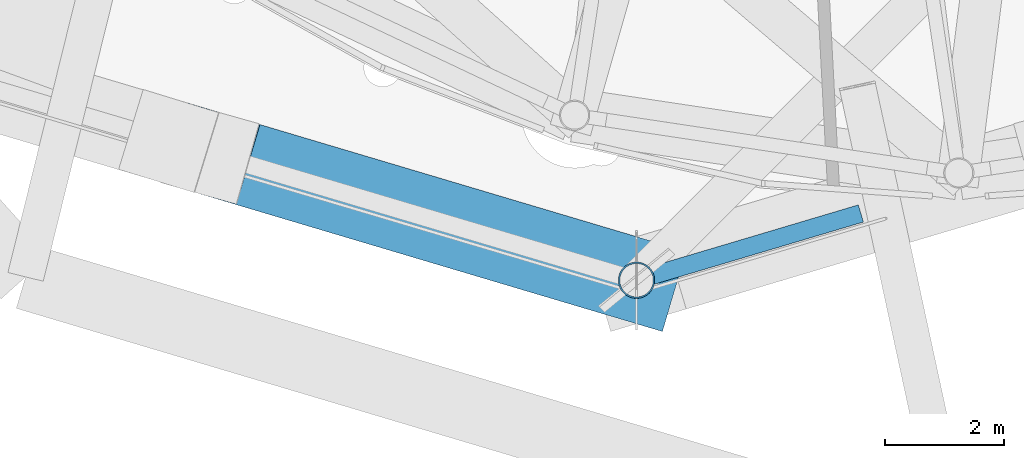
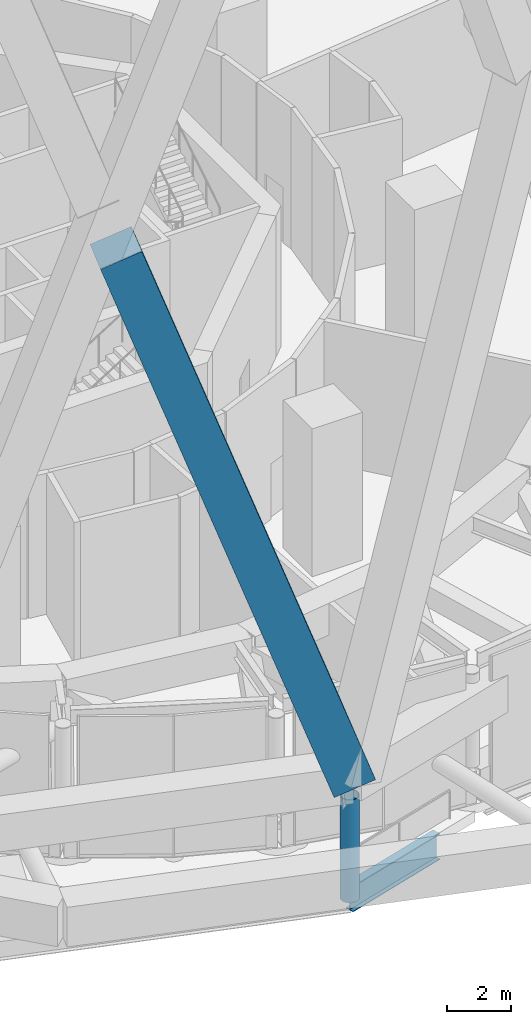
# One storey, part 6 of 60: 2 members, 1 beam.
"""IFC4 building model written with IfcOpenShell, lengths in metres."""

import ifcopenshell
import ifcopenshell.guid

model = None  # the IFC model being written
_history = None  # IfcOwnerHistory: only IFC2X3 demands one
_inside = {}  # id of a spatial element -> (the spatial element, [elements in it])
_under = {}  # id of a project, library or spatial element -> (it, [spatial elements below it])
_declared = {}  # id of a project -> (the project, [libraries it declares])
_typed = {}  # id of a type object -> (the type object, [elements of that type])
_made_of = {}  # id of a material, layer set ... -> (it, [elements and type objects made of it])


def new_model(schema):
    """Start an empty IFC model of exactly this schema.

    Asked for "IFC4X3", IfcOpenShell would pick the latest addendum, in which some entities
    have other attributes; the version numbers below select the first issue.
    IFC2X3 requires an IfcOwnerHistory on every rooted entity: one is made here for all.
    """
    global model, _history
    if schema == "IFC4X3":
        model = ifcopenshell.file(schema_version=(4, 3, 0, 0))
    else:
        model = ifcopenshell.file(schema=schema)
    _inside.clear()
    _under.clear()
    _declared.clear()
    _typed.clear()
    _made_of.clear()
    _history = None
    if model.schema == "IFC2X3":
        org = make("IfcOrganization", Name="unknown")
        user = make(
            "IfcPersonAndOrganization",
            ThePerson=make("IfcPerson", FamilyName="unknown"),
            TheOrganization=org,
        )
        app = make(
            "IfcApplication",
            ApplicationDeveloper=org,
            Version="unknown",
            ApplicationFullName="unknown",
            ApplicationIdentifier="unknown",
        )
        _history = make(
            "IfcOwnerHistory",
            OwningUser=user,
            OwningApplication=app,
            ChangeAction="ADDED",
            CreationDate=0,
        )
    return model


def make(cls, **values):
    """One entity of the class cls with the attributes given. An attribute that is None is left unset."""
    return model.create_entity(
        cls, **{name: value for name, value in values.items() if value is not None}
    )


def rooted(cls, **values):
    """An entity with a GlobalId (a new one), such as an element, a storey or a relation."""
    return make(cls, GlobalId=ifcopenshell.guid.new(), OwnerHistory=_history, **values)


def si_unit(unit_type, name, prefix=None):
    """IfcSIUnit, for example si_unit("LENGTHUNIT", "METRE", prefix="MILLI")."""
    return make("IfcSIUnit", UnitType=unit_type, Prefix=prefix, Name=name)


def assignment(units):
    """IfcUnitAssignment: the units of a project."""
    return None if units is None else make("IfcUnitAssignment", Units=units)


def point(xyz):
    """IfcCartesianPoint."""
    return None if xyz is None else make("IfcCartesianPoint", Coordinates=xyz)


def direction(xyz):
    """IfcDirection."""
    return None if xyz is None else make("IfcDirection", DirectionRatios=xyz)


def frame(location, z_axis=None, x_axis=None):
    """IfcAxis2Placement3D, a coordinate frame: its origin and axes. An axis left out is left unset."""
    return make(
        "IfcAxis2Placement3D",
        Location=point(location),
        Axis=direction(z_axis),
        RefDirection=direction(x_axis),
    )


def frame_2d(location, x_axis=None):
    """IfcAxis2Placement2D, a coordinate frame in the plane: its origin and x axis."""
    return make(
        "IfcAxis2Placement2D", Location=point(location), RefDirection=direction(x_axis)
    )


def origin():
    """The frame at (0, 0, 0) with its axes left unset."""
    return frame((0.0, 0.0, 0.0))


def origin_2d():
    """The frame at (0, 0) in the plane with its x axis left unset."""
    return frame_2d((0.0, 0.0))


def place(relative_to, where):
    """IfcLocalPlacement: puts the frame where relative to a parent placement (None: the world)."""
    return make(
        "IfcLocalPlacement", PlacementRelTo=relative_to, RelativePlacement=where
    )


def context(
    kind, dimensions, precision=None, world=None, true_north=None, identifier=None
):
    """IfcGeometricRepresentationContext, for example the 3D "Model" context."""
    return make(
        "IfcGeometricRepresentationContext",
        ContextIdentifier=identifier,
        ContextType=kind,
        CoordinateSpaceDimension=dimensions,
        Precision=precision,
        WorldCoordinateSystem=world,
        TrueNorth=true_north,
    )


def subcontext(parent, identifier, kind, view, scale=None):
    """IfcGeometricRepresentationSubContext, for example "Body" below "Model"."""
    return make(
        "IfcGeometricRepresentationSubContext",
        ContextIdentifier=identifier,
        ContextType=kind,
        ParentContext=parent,
        TargetScale=scale,
        TargetView=view,
    )


def project(units=None, contexts=None):
    """IfcProject with its units and contexts."""
    return rooted(
        "IfcProject",
        Name="project",
        RepresentationContexts=contexts,
        UnitsInContext=assignment(units),
    )


def spatial(cls, under=None, at=None, **own):
    """A site, building, storey or space (cls), placed at a placement, below another one or the project."""
    s = rooted(cls, ObjectPlacement=at, **own)
    if under is not None:
        _under.setdefault(under.id(), (under, []))[1].append(s)
    return s


def profile(cls, at=None, kind="AREA", **sizes):
    """A parametric profile (cls). Its sizes go by their IFC names, for example OverallWidth=200.0."""
    return make(cls, ProfileType=kind, Position=at, **sizes)


def rectangle(**sizes):
    """IfcRectangleProfileDef."""
    return profile("IfcRectangleProfileDef", **sizes)


def hollow_circle(**sizes):
    """IfcCircleHollowProfileDef."""
    return profile("IfcCircleHollowProfileDef", **sizes)


def i_section(**sizes):
    """IfcIShapeProfileDef."""
    return profile("IfcIShapeProfileDef", **sizes)


def extrude(swept, where, along, depth):
    """IfcExtrudedAreaSolid: the profile swept, set in the frame where, extruded along a direction by depth."""
    return make(
        "IfcExtrudedAreaSolid",
        SweptArea=swept,
        Position=where,
        ExtrudedDirection=direction(along),
        Depth=depth,
    )


def shape(context_of_items, identifier, shape_type, items):
    """IfcShapeRepresentation: the items that make up one representation, for example the "Body"."""
    return make(
        "IfcShapeRepresentation",
        ContextOfItems=context_of_items,
        RepresentationIdentifier=identifier,
        RepresentationType=shape_type,
        Items=items,
    )


def material(Name=None, Category=None):
    """IfcMaterial."""
    return make("IfcMaterial", Name=Name, Category=Category)


def material_profile(
    of_material, cross_section, Name=None, Category=None, Priority=None
):
    """IfcMaterialProfile: a cross section and its material."""
    return make(
        "IfcMaterialProfile",
        Name=Name,
        Material=of_material,
        Profile=cross_section,
        Priority=Priority,
        Category=Category,
    )


def profile_set(profiles, Name=None, composite=None):
    """IfcMaterialProfileSet."""
    return make(
        "IfcMaterialProfileSet",
        Name=Name,
        MaterialProfiles=profiles,
        CompositeProfile=composite,
    )


def made_of(thing, what):
    """Note that an element or type object is made of a material, layer set ...; save() writes the relation."""
    if what is not None:
        _made_of.setdefault(what.id(), (what, []))[1].append(thing)
    return thing


def type_object(cls, material=None, **own):
    """A type object (cls), such as IfcWallType, which elements share."""
    return made_of(rooted(cls, **own), material)


def element(
    cls,
    number,
    at=None,
    inside=None,
    cuts=None,
    type_object=None,
    material=None,
    context=None,
    identifier="Body",
    shape_type=None,
    held_by="IfcProductDefinitionShape",
    body=None,
    shapes=None,
    **own,
):
    """One element of the class cls, such as IfcWall. Its Tag is "e" and its number.

    at: its placement. inside: the storey or other place that contains it. cuts: it is an
    opening in that element (IfcRelVoidsElement). A single representation is given by context,
    identifier, shape_type and body (its items); several are given by shapes. held_by: the class
    of the entity that holds the representations. save() writes the other relations.
    """
    e = rooted(cls, Tag="e%d" % number, ObjectPlacement=at, **own)
    if body is not None:
        shapes = [shape(context, identifier, shape_type, body)]
    if shapes is not None:
        e.Representation = make(held_by, Representations=shapes)
    if inside is not None:
        _inside.setdefault(inside.id(), (inside, []))[1].append(e)
    if cuts is not None:
        rooted(
            "IfcRelVoidsElement", RelatingBuildingElement=cuts, RelatedOpeningElement=e
        )
    if type_object is not None:
        _typed.setdefault(type_object.id(), (type_object, []))[1].append(e)
    return made_of(e, material)


def aggregate(whole, parts):
    """IfcRelAggregates: a whole, such as a stair, and the parts it consists of."""
    return rooted("IfcRelAggregates", RelatingObject=whole, RelatedObjects=parts)


def save(model, path):
    """Write the relations noted so far, then the file.

    IfcRelAggregates (storeys below a building ...), IfcRelContainedInSpatialStructure (elements
    in a storey), IfcRelDefinesByType, IfcRelAssociatesMaterial and IfcRelDeclares: one each for
    every whole, place, type object, material and project.
    """
    for whole, parts in _under.values():
        aggregate(whole, parts)
    for where, things in _inside.values():
        rooted(
            "IfcRelContainedInSpatialStructure",
            RelatedElements=things,
            RelatingStructure=where,
        )
    for kind, things in _typed.values():
        rooted("IfcRelDefinesByType", RelatedObjects=things, RelatingType=kind)
    for what, things in _made_of.values():
        rooted("IfcRelAssociatesMaterial", RelatedObjects=things, RelatingMaterial=what)
    for by, libraries in _declared.values():
        rooted("IfcRelDeclares", RelatingContext=by, RelatedDefinitions=libraries)
    model.write(path)


model = new_model("IFC4")

# Units and contexts
model_context = context("Model", 3, precision=1e-05, world=origin(), true_north=direction((0.0, 1.0)))
body_context = subcontext(model_context, "Body", "Model", "MODEL_VIEW")
ifc_project = project(units=[si_unit("LENGTHUNIT", "METRE"), si_unit("AREAUNIT", "SQUARE_METRE"), si_unit("VOLUMEUNIT", "CUBIC_METRE"), si_unit("PLANEANGLEUNIT", "RADIAN"), si_unit("MASSUNIT", "GRAM", prefix="KILO")], contexts=[model_context])

# Site, building, storey
site_placement = place(None, origin())
site = spatial("IfcSite", under=ifc_project, at=site_placement, CompositionType="ELEMENT")
building_placement = place(site_placement, origin())
building = spatial("IfcBuilding", under=site, at=building_placement, Name="Nagisa Residences", CompositionType="ELEMENT")
storey_placement = place(building_placement, frame((0.0, 0.0, 206.60009765625)))
storey = spatial("IfcBuildingStorey", under=building, at=storey_placement, Name="L52", CompositionType="ELEMENT", Elevation=206.60009765625)

# Member
ifc_material_1 = material(Name="Concrete C80", Category="concrete")
ifc_material_profile_1 = material_profile(ifc_material_1, rectangle(XDim=1.39990234375, YDim=1.39990234375, at=origin_2d()), Name="C80 1400x1400")
ifc_profile_set_1 = profile_set([ifc_material_profile_1], Name="Concrete C80")
member_type_1 = type_object("IfcMemberType", Name="Cage diagonal 5 C80 1400x1400", PredefinedType="BRACE", material=ifc_profile_set_1)
member_1_placement = place(storey_placement, frame((-1.800048828125, -30.17236328125, 3.699951171875), z_axis=(-0.317705082109, 0.094565554533, 0.943462154354), x_axis=(-0.285282611713, -0.958443441969, 0.0)))
element("IfcMember", 1, at=member_1_placement, inside=storey, type_object=member_type_1, Name="mem:L52:cg5d018a", PredefinedType="BRACE", context=body_context, shape_type="SweptSolid", body=[
    extrude(rectangle(XDim=1.39990234375, YDim=1.39990234375, at=origin_2d()), origin(), (0.0, 0.0, 1.0), 22.484130859375),
])

# Beam
ifc_material_2 = material(Name="Steel ASTM A572 Gr 50", Category="steel")
ifc_material_profile_2 = material_profile(ifc_material_2, i_section(OverallWidth=0.300048828125, OverallDepth=0.97998046875, WebThickness=0.0166015625, FlangeThickness=0.02587890625, at=origin_2d()), Name="W1000x249")
ifc_profile_set_2 = profile_set([ifc_material_profile_2], Name="Steel ASTM A572 Gr 50")
beam_type = type_object("IfcBeamType", Name="Deck edge beam W1000x249", PredefinedType="BEAM", material=ifc_profile_set_2)
beam_placement = place(storey_placement, frame((-1.800048828125, -30.17236328125, -0.89013671875), z_axis=(0.958447621259, 0.285268570479, 0.0), x_axis=(-0.285268570479, 0.958447621259, 0.0)))
element("IfcBeam", 2, at=beam_placement, inside=storey, type_object=beam_type, Name="beam:L52:deckedge10", PredefinedType="BEAM", context=body_context, shape_type="SweptSolid", body=[
    extrude(i_section(OverallWidth=0.300048828125, OverallDepth=0.97998046875, WebThickness=0.0166015625, FlangeThickness=0.02587890625, at=origin_2d()), origin(), (0.0, 0.0, 1.0), 3.92236328125),
])

# Member
ifc_material_3 = material(Name="Steel ASTM A572 Gr 65", Category="steel")
ifc_material_profile_3 = material_profile(ifc_material_3, hollow_circle(Radius=0.304931640625, WallThickness=0.02490234375, at=origin_2d()), Name="CHS 610x25")
ifc_profile_set_3 = profile_set([ifc_material_profile_3], Name="Steel ASTM A572 Gr 65")
member_type_2 = type_object("IfcMemberType", Name="Deck hanger CHS 610x25", PredefinedType="POST", material=ifc_profile_set_3)
member_2_placement = place(storey_placement, frame((-1.800048828125, -30.17236328125, 3.0), z_axis=(0.0, 0.0, -1.0), x_axis=(1.0, 0.0, 0.0)))
element("IfcMember", 3, at=member_2_placement, inside=storey, type_object=member_type_2, Name="mem:L52:deckhanger09", PredefinedType="POST", context=body_context, shape_type="SweptSolid", body=[
    extrude(hollow_circle(Radius=0.304931640625, WallThickness=0.02490234375, at=origin_2d()), origin(), (0.0, 0.0, 1.0), 3.89013671875),
])

save(model, "model.ifc")
